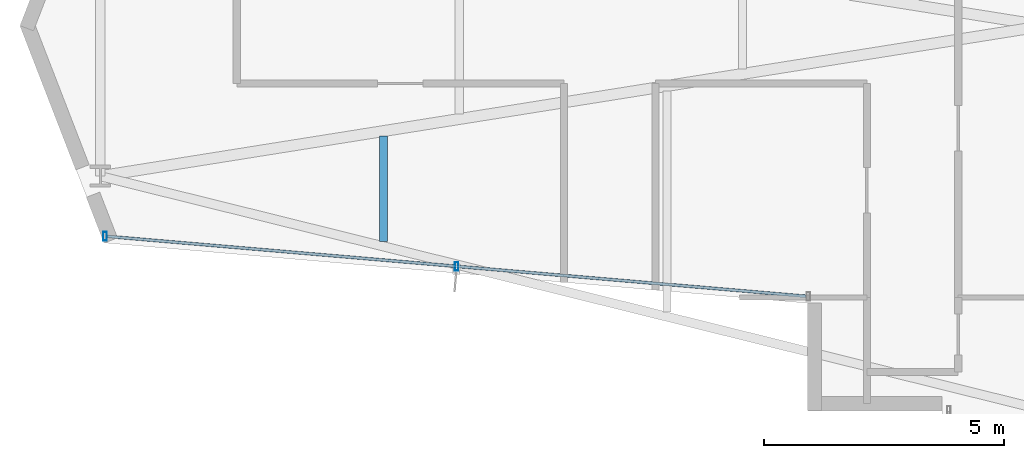
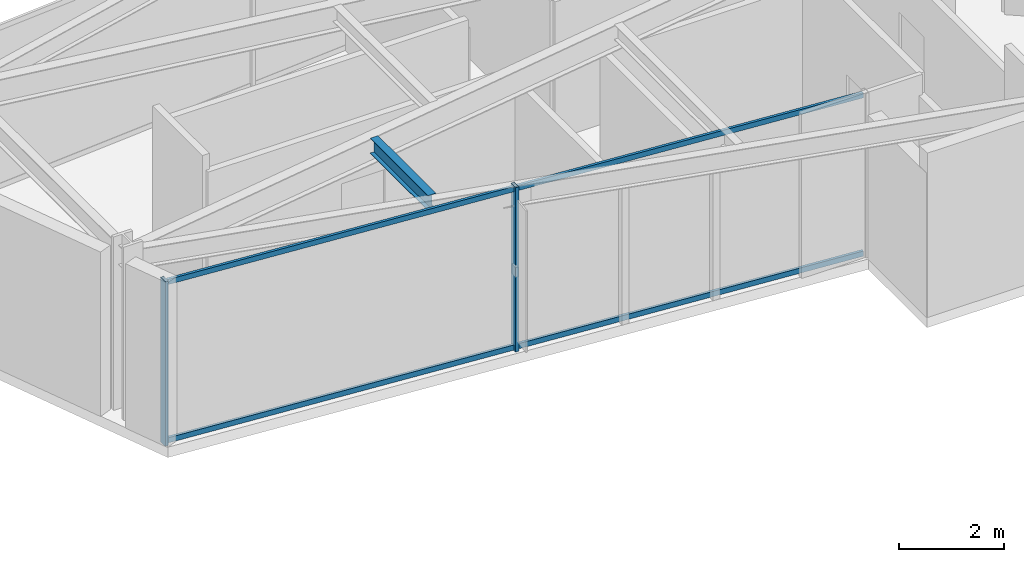
# One storey, part 2 of 26: 4 members, 1 beam, 1 element without a shape of its own.
"""IFC4 building model written with IfcOpenShell, lengths in metres."""

from ifc_helpers import new_model, si_unit, direction, frame, origin, origin_2d, place, context, subcontext, project, spatial, hollow_rectangle, i_section, extrude, material, layer, layer_set, material_profile, profile_set, type_object, element, aggregate, save


model = new_model("IFC4")

# Units and contexts
model_context = context("Model", 3, precision=1e-05, world=origin(), true_north=direction((0.0, 1.0)))
body_context = subcontext(model_context, "Body", "Model", "MODEL_VIEW")
ifc_project = project(units=[si_unit("LENGTHUNIT", "METRE"), si_unit("AREAUNIT", "SQUARE_METRE"), si_unit("VOLUMEUNIT", "CUBIC_METRE"), si_unit("PLANEANGLEUNIT", "RADIAN"), si_unit("MASSUNIT", "GRAM", prefix="KILO")], contexts=[model_context])

# Site, building, storey
site_placement = place(None, origin())
site = spatial("IfcSite", under=ifc_project, at=site_placement, CompositionType="ELEMENT")
building_placement = place(site_placement, origin())
building = spatial("IfcBuilding", under=site, at=building_placement, Name="Veymaron Broadcast Tower", CompositionType="ELEMENT")
storey_placement = place(building_placement, frame((0.0, 0.0, 153.300048828125)))
storey = spatial("IfcBuildingStorey", under=building, at=storey_placement, Name="L35", CompositionType="ELEMENT", Elevation=153.300048828125)

# Beam
ifc_material_1 = material(Name="Structural steel ASTM A992 Gr 50", Category="steel")
ifc_material_profile_1 = material_profile(ifc_material_1, i_section(OverallWidth=0.1708984375, OverallDepth=0.35498046875, WebThickness=0.007080078125, FlangeThickness=0.01171875, at=origin_2d()), Name="W360X51")
ifc_profile_set_1 = profile_set([ifc_material_profile_1], Name="Structural steel ASTM A992 Gr 50")
beam_type = type_object("IfcBeamType", Name="BM-JS2", PredefinedType="JOIST", material=ifc_profile_set_1)
beam_placement = place(storey_placement, frame((17.447509765625, 19.510498046875, 3.632568359375), z_axis=(0.0, 1.0, 0.0), x_axis=(-1.0, 0.0, 0.0)))
element("IfcBeam", 1, at=beam_placement, inside=storey, type_object=beam_type, Name="L35 Arm-A secondary joist 1S", PredefinedType="JOIST", context=body_context, shape_type="SweptSolid", body=[
    extrude(i_section(OverallWidth=0.1708984375, OverallDepth=0.35498046875, WebThickness=0.007080078125, FlangeThickness=0.01171875, at=origin_2d()), origin(), (0.0, 0.0, 1.0), 2.199951171875),
])

# Curtain wall, members
ifc_material_2 = material(Name="Anodised aluminium AA 6063-T6 and laminated low-E dark glass", Category="aluminium")
ifc_layer = layer(ifc_material_2, 0.179931640625)
ifc_layer_set = layer_set([ifc_layer], Name="Anodised aluminium AA 6063-T6 and laminated low-E dark glass")
curtain_wall_type = type_object("IfcCurtainWallType", Name="CW-SYS-03", PredefinedType="NOTDEFINED", material=ifc_layer_set)
curtain_wall_placement = place(storey_placement, origin())
curtain_wall = element("IfcCurtainWall", 2, at=curtain_wall_placement, inside=storey, type_object=curtain_wall_type, Name="L35 dark-glass curtain wall CW-L35-E14-1", PredefinedType="NOTDEFINED")
ifc_material_3 = material(Name="Anodised aluminium AA 6063-T6", Category="aluminium")
ifc_material_profile_2 = material_profile(ifc_material_3, hollow_rectangle(XDim=0.074951171875, YDim=0.179931640625, WallThickness=0.0048828125, at=origin_2d()), Name="AL180X75X5")
ifc_profile_set_2 = profile_set([ifc_material_profile_2], Name="Anodised aluminium AA 6063-T6")
member_type_1 = type_object("IfcMemberType", Name="CW-MUL-02", PredefinedType="MULLION", material=ifc_profile_set_2)
member_1_placement = place(storey_placement, frame((11.652099609375, 19.62353515625, 0.0), z_axis=(0.0, 0.0, 1.0), x_axis=(1.0, 0.0, 0.0)))
member_1 = element("IfcMember", 3, at=member_1_placement, type_object=member_type_1, Name="CW-L35-E14-1 mullion 0", PredefinedType="MULLION", context=body_context, shape_type="SweptSolid", body=[
    extrude(hollow_rectangle(XDim=0.074951171875, YDim=0.179931640625, WallThickness=0.0048828125, at=origin_2d()), origin(), (0.0, 0.0, 1.0), 3.81005859375),
])
member_2_placement = place(storey_placement, frame((18.96728515625, 18.99609375, 0.0), z_axis=(0.0, 0.0, 1.0), x_axis=(1.0, 0.0, 0.0)))
member_2 = element("IfcMember", 4, at=member_2_placement, type_object=member_type_1, Name="CW-L35-E14-1 mullion 1", PredefinedType="MULLION", context=body_context, shape_type="SweptSolid", body=[
    extrude(hollow_rectangle(XDim=0.074951171875, YDim=0.179931640625, WallThickness=0.0048828125, at=origin_2d()), origin(), (0.0, 0.0, 1.0), 3.81005859375),
])
ifc_material_profile_3 = material_profile(ifc_material_3, hollow_rectangle(XDim=0.06005859375, YDim=0.1201171875, WallThickness=0.00390625, at=origin_2d()), Name="AL120X60X4")
ifc_profile_set_3 = profile_set([ifc_material_profile_3], Name="Anodised aluminium AA 6063-T6")
member_type_2 = type_object("IfcMemberType", Name="CW-TRN-02", PredefinedType="USERDEFINED", material=ifc_profile_set_3)
member_3_placement = place(storey_placement, frame((11.701904296875, 19.619140625, 0.070068359375), z_axis=(0.996343148228, -0.085441974336, 0.0), x_axis=(0.085441974336, 0.996343148228, 0.0)))
member_3 = element("IfcMember", 5, at=member_3_placement, type_object=member_type_2, Name="CW-L35-E14-1 transom B", ObjectType="TRANSOM", PredefinedType="USERDEFINED", context=body_context, shape_type="SweptSolid", body=[
    extrude(hollow_rectangle(XDim=0.06005859375, YDim=0.1201171875, WallThickness=0.00390625, at=origin_2d()), origin(), (0.0, 0.0, 1.0), 14.583984375),
])
member_4_placement = place(storey_placement, frame((11.701904296875, 19.619140625, 3.739990234375), z_axis=(0.996343148228, -0.085441974336, 0.0), x_axis=(0.085441974336, 0.996343148228, 0.0)))
member_4 = element("IfcMember", 6, at=member_4_placement, type_object=member_type_2, Name="CW-L35-E14-1 transom T", ObjectType="TRANSOM", PredefinedType="USERDEFINED", context=body_context, shape_type="SweptSolid", body=[
    extrude(hollow_rectangle(XDim=0.06005859375, YDim=0.1201171875, WallThickness=0.00390625, at=origin_2d()), origin(), (0.0, 0.0, 1.0), 14.583984375),
])
aggregate(curtain_wall, [member_1, member_2, member_3, member_4])

save(model, "model.ifc")
